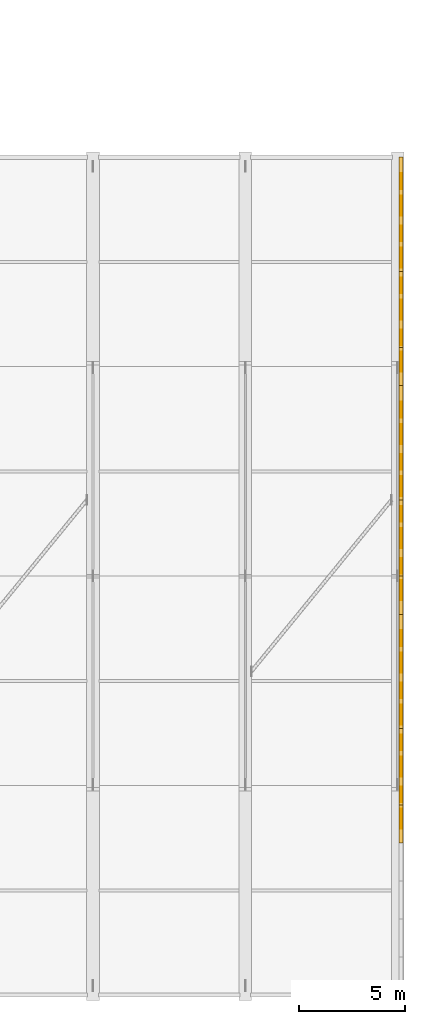
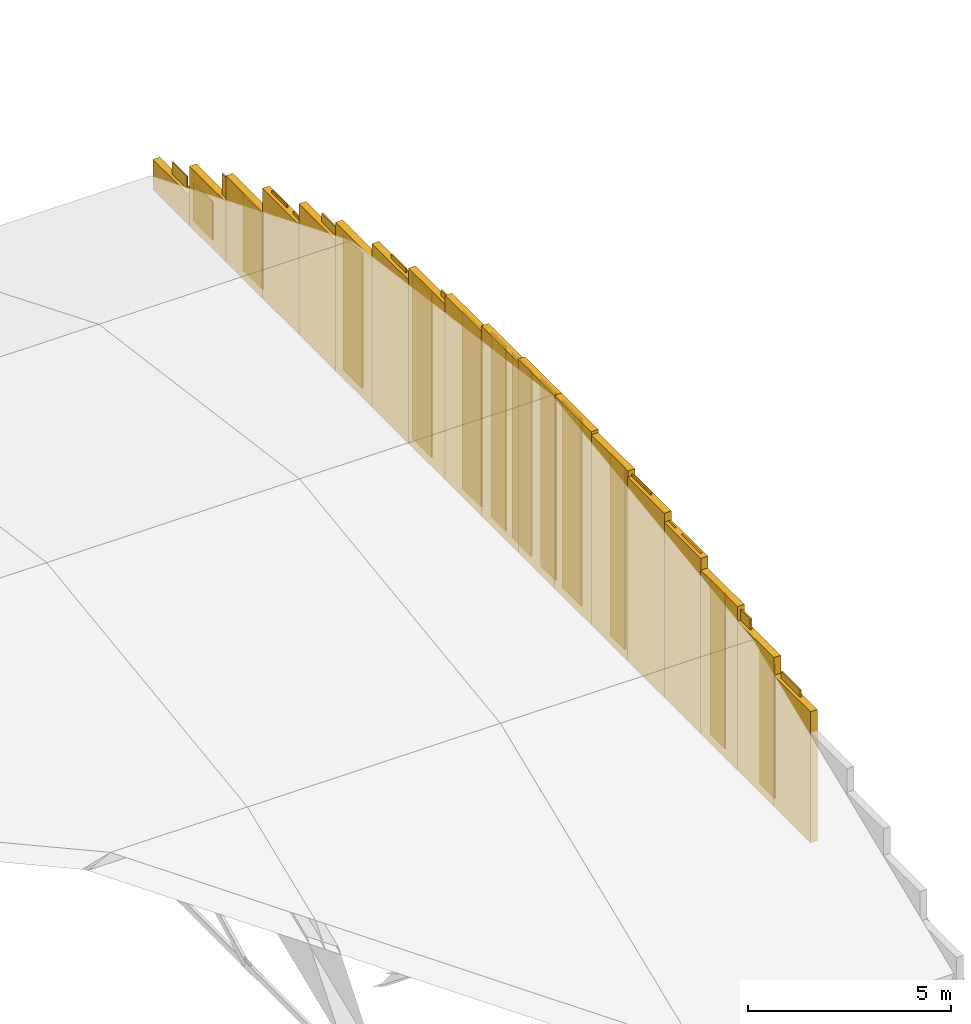
# One storey, part 22 of 22: 42 coverings.
"""IFC4 building model written with IfcOpenShell, lengths in metres."""

from ifc_helpers import new_model, si_unit, direction, frame, origin, origin_2d, place, context, subcontext, project, spatial, rectangle, extrude, material, layer, layer_set, type_object, element, save


model = new_model("IFC4")

# Units and contexts
model_context = context("Model", 3, precision=1e-05, world=origin(), true_north=direction((0.0, 1.0)))
body_context = subcontext(model_context, "Body", "Model", "MODEL_VIEW")
ifc_project = project(units=[si_unit("LENGTHUNIT", "METRE"), si_unit("AREAUNIT", "SQUARE_METRE"), si_unit("VOLUMEUNIT", "CUBIC_METRE"), si_unit("PLANEANGLEUNIT", "RADIAN"), si_unit("MASSUNIT", "GRAM", prefix="KILO")], contexts=[model_context])

# Site, building, storey
site_placement = place(None, origin())
site = spatial("IfcSite", under=ifc_project, at=site_placement, CompositionType="ELEMENT")
building_placement = place(site_placement, origin())
building = spatial("IfcBuilding", under=site, at=building_placement, Name="Lusvemor Sports Hall", CompositionType="ELEMENT")
storey_placement = place(building_placement, frame((0.0, 0.0, 23.39990234375)))
storey = spatial("IfcBuildingStorey", under=building, at=storey_placement, Name="Roof", CompositionType="ELEMENT", Elevation=23.39990234375)

# Coverings
ifc_material_1 = material(Name="Emerald polychrome glazed ceramic cladding on Concrete C40/50 backing", Category="concrete")
ifc_layer_1 = layer(ifc_material_1, 0.0458984375)
ifc_layer_set_1 = layer_set([ifc_layer_1], Name="Emerald polychrome glazed ceramic cladding on Concrete C40/50 backing")
covering_type_1 = type_object("IfcCoveringType", Name="CLAD_WAVE_EMERALD", PredefinedType="CLADDING", material=ifc_layer_set_1)
covering_1_placement = place(storey_placement, frame((169.3779296875, 8.3349609375, -1.919921875), z_axis=(0.0, 0.0, 1.0), x_axis=(1.0, 0.0, 0.0)))
element("IfcCovering", 1, at=covering_1_placement, inside=storey, type_object=covering_type_1, Name="Art Nouveau Patterned Cladding PS-V2TY-E-1-0-1", PredefinedType="CLADDING", context=body_context, shape_type="SweptSolid", body=[
    extrude(rectangle(XDim=0.0458984375, YDim=0.943115234375, at=origin_2d()), origin(), (0.0, 0.0, 1.0), 4.0166015625),
])
covering_2_placement = place(storey_placement, frame((169.3779296875, 10.794921875, -1.919921875), z_axis=(0.0, 0.0, 1.0), x_axis=(1.0, 0.0, 0.0)))
element("IfcCovering", 2, at=covering_2_placement, inside=storey, type_object=covering_type_1, Name="Art Nouveau Patterned Cladding PS-V2TY-E-1-1-1", PredefinedType="CLADDING", context=body_context, shape_type="SweptSolid", body=[
    extrude(rectangle(XDim=0.0458984375, YDim=0.943115234375, at=origin_2d()), origin(), (0.0, 0.0, 1.0), 4.671142578125),
])
covering_3_placement = place(storey_placement, frame((169.3779296875, 13.2548828125, -1.919921875), z_axis=(0.0, 0.0, 1.0), x_axis=(1.0, 0.0, 0.0)))
element("IfcCovering", 3, at=covering_3_placement, inside=storey, type_object=covering_type_1, Name="Art Nouveau Patterned Cladding PS-V2TY-E-1-2-1", PredefinedType="CLADDING", context=body_context, shape_type="SweptSolid", body=[
    extrude(rectangle(XDim=0.0458984375, YDim=0.943115234375, at=origin_2d()), origin(), (0.0, 0.0, 1.0), 5.1591796875),
])
covering_4_placement = place(storey_placement, frame((169.3779296875, 15.715087890625, -1.919921875), z_axis=(0.0, 0.0, 1.0), x_axis=(1.0, 0.0, 0.0)))
element("IfcCovering", 4, at=covering_4_placement, inside=storey, type_object=covering_type_1, Name="Art Nouveau Patterned Cladding PS-V2TY-E-1-3-1", PredefinedType="CLADDING", context=body_context, shape_type="SweptSolid", body=[
    extrude(rectangle(XDim=0.0458984375, YDim=0.943115234375, at=origin_2d()), origin(), (0.0, 0.0, 1.0), 5.480224609375),
])
covering_5_placement = place(storey_placement, frame((169.3779296875, 19.135009765625, -1.919921875), z_axis=(0.0, 0.0, 1.0), x_axis=(1.0, 0.0, 0.0)))
element("IfcCovering", 5, at=covering_5_placement, inside=storey, type_object=covering_type_1, Name="Art Nouveau Patterned Cladding PS-V2TY-E-2-0-1", PredefinedType="CLADDING", context=body_context, shape_type="SweptSolid", body=[
    extrude(rectangle(XDim=0.0458984375, YDim=0.943115234375, at=origin_2d()), origin(), (0.0, 0.0, 1.0), 5.64990234375),
])
covering_6_placement = place(storey_placement, frame((169.3779296875, 21.594970703125, -1.919921875), z_axis=(0.0, 0.0, 1.0), x_axis=(1.0, 0.0, 0.0)))
element("IfcCovering", 6, at=covering_6_placement, inside=storey, type_object=covering_type_1, Name="Art Nouveau Patterned Cladding PS-V2TY-E-2-1-1", PredefinedType="CLADDING", context=body_context, shape_type="SweptSolid", body=[
    extrude(rectangle(XDim=0.0458984375, YDim=0.943115234375, at=origin_2d()), origin(), (0.0, 0.0, 1.0), 5.572509765625),
])
covering_7_placement = place(storey_placement, frame((169.3779296875, 24.054931640625, -1.919921875), z_axis=(0.0, 0.0, 1.0), x_axis=(1.0, 0.0, 0.0)))
element("IfcCovering", 7, at=covering_7_placement, inside=storey, type_object=covering_type_1, Name="Art Nouveau Patterned Cladding PS-V2TY-E-2-2-1", PredefinedType="CLADDING", context=body_context, shape_type="SweptSolid", body=[
    extrude(rectangle(XDim=0.0458984375, YDim=0.943115234375, at=origin_2d()), origin(), (0.0, 0.0, 1.0), 5.32861328125),
])
covering_8_placement = place(storey_placement, frame((169.3779296875, 26.514892578125, -1.919921875), z_axis=(0.0, 0.0, 1.0), x_axis=(1.0, 0.0, 0.0)))
element("IfcCovering", 8, at=covering_8_placement, inside=storey, type_object=covering_type_1, Name="Art Nouveau Patterned Cladding PS-V2TY-E-2-3-1", PredefinedType="CLADDING", context=body_context, shape_type="SweptSolid", body=[
    extrude(rectangle(XDim=0.0458984375, YDim=0.943115234375, at=origin_2d()), origin(), (0.0, 0.0, 1.0), 4.91796875),
])
covering_9_placement = place(storey_placement, frame((169.3779296875, 29.93505859375, -1.919921875), z_axis=(0.0, 0.0, 1.0), x_axis=(1.0, 0.0, 0.0)))
element("IfcCovering", 9, at=covering_9_placement, inside=storey, type_object=covering_type_1, Name="Art Nouveau Patterned Cladding PS-V2TY-E-3-0-1", PredefinedType="CLADDING", context=body_context, shape_type="SweptSolid", body=[
    extrude(rectangle(XDim=0.0458984375, YDim=0.943115234375, at=origin_2d()), origin(), (0.0, 0.0, 1.0), 4.070068359375),
])
covering_10_placement = place(storey_placement, frame((169.3779296875, 32.39501953125, -1.919921875), z_axis=(0.0, 0.0, 1.0), x_axis=(1.0, 0.0, 0.0)))
element("IfcCovering", 10, at=covering_10_placement, inside=storey, type_object=covering_type_1, Name="Art Nouveau Patterned Cladding PS-V2TY-E-3-1-1", PredefinedType="CLADDING", context=body_context, shape_type="SweptSolid", body=[
    extrude(rectangle(XDim=0.0458984375, YDim=0.943115234375, at=origin_2d()), origin(), (0.0, 0.0, 1.0), 3.260986328125),
])
covering_11_placement = place(storey_placement, frame((169.3779296875, 34.85498046875, -1.919921875), z_axis=(0.0, 0.0, 1.0), x_axis=(1.0, 0.0, 0.0)))
element("IfcCovering", 11, at=covering_11_placement, inside=storey, type_object=covering_type_1, Name="Art Nouveau Patterned Cladding PS-V2TY-E-3-2-1", PredefinedType="CLADDING", context=body_context, shape_type="SweptSolid", body=[
    extrude(rectangle(XDim=0.0458984375, YDim=0.943115234375, at=origin_2d()), origin(), (0.0, 0.0, 1.0), 2.284912109375),
])
covering_12_placement = place(storey_placement, frame((169.3779296875, 37.31494140625, -1.919921875), z_axis=(0.0, 0.0, 1.0), x_axis=(1.0, 0.0, 0.0)))
element("IfcCovering", 12, at=covering_12_placement, inside=storey, type_object=covering_type_1, Name="Art Nouveau Patterned Cladding PS-V2TY-E-3-3-1", PredefinedType="CLADDING", context=body_context, shape_type="SweptSolid", body=[
    extrude(rectangle(XDim=0.0458984375, YDim=0.943115234375, at=origin_2d()), origin(), (0.0, 0.0, 1.0), 1.142578125),
])
covering_13_placement = place(storey_placement, frame((169.360107421875, 8.10009765625, -2.0498046875), z_axis=(0.0, 0.0, 1.0), x_axis=(1.0, 0.0, 0.0)))
element("IfcCovering", 13, at=covering_13_placement, inside=storey, type_object=covering_type_1, Name="East Vault Gable Patterned Tympanum E-05", PredefinedType="CLADDING", context=body_context, shape_type="SweptSolid", body=[
    extrude(rectangle(XDim=0.199951171875, YDim=1.81201171875, at=origin_2d()), origin(), (0.0, 0.0, 1.0), 3.944580078125),
])
covering_14_placement = place(storey_placement, frame((169.360107421875, 11.699951171875, -2.050048828125), z_axis=(0.0, 0.0, 1.0), x_axis=(1.0, 0.0, 0.0)))
element("IfcCovering", 14, at=covering_14_placement, inside=storey, type_object=covering_type_1, Name="East Vault Gable Patterned Tympanum E-07", PredefinedType="CLADDING", context=body_context, shape_type="SweptSolid", body=[
    extrude(rectangle(XDim=0.199951171875, YDim=1.81201171875, at=origin_2d()), origin(), (0.0, 0.0, 1.0), 4.92626953125),
])
covering_15_placement = place(storey_placement, frame((169.360107421875, 15.300048828125, -2.0498046875), z_axis=(0.0, 0.0, 1.0), x_axis=(1.0, 0.0, 0.0)))
element("IfcCovering", 15, at=covering_15_placement, inside=storey, type_object=covering_type_1, Name="East Vault Gable Patterned Tympanum E-09", PredefinedType="CLADDING", context=body_context, shape_type="SweptSolid", body=[
    extrude(rectangle(XDim=0.199951171875, YDim=1.81201171875, at=origin_2d()), origin(), (0.0, 0.0, 1.0), 5.551025390625),
])
covering_16_placement = place(storey_placement, frame((169.360107421875, 18.89990234375, -2.0498046875), z_axis=(0.0, 0.0, 1.0), x_axis=(1.0, 0.0, 0.0)))
element("IfcCovering", 16, at=covering_16_placement, inside=storey, type_object=covering_type_1, Name="East Vault Gable Patterned Tympanum E-11", PredefinedType="CLADDING", context=body_context, shape_type="SweptSolid", body=[
    extrude(rectangle(XDim=0.199951171875, YDim=1.81201171875, at=origin_2d()), origin(), (0.0, 0.0, 1.0), 5.81884765625),
])
covering_17_placement = place(storey_placement, frame((169.360107421875, 22.5, -2.0498046875), z_axis=(0.0, 0.0, 1.0), x_axis=(1.0, 0.0, 0.0)))
element("IfcCovering", 17, at=covering_17_placement, inside=storey, type_object=covering_type_1, Name="East Vault Gable Patterned Tympanum E-13", PredefinedType="CLADDING", context=body_context, shape_type="SweptSolid", body=[
    extrude(rectangle(XDim=0.199951171875, YDim=1.81201171875, at=origin_2d()), origin(), (0.0, 0.0, 1.0), 5.7294921875),
])
covering_18_placement = place(storey_placement, frame((169.360107421875, 26.10009765625, -2.0498046875), z_axis=(0.0, 0.0, 1.0), x_axis=(1.0, 0.0, 0.0)))
element("IfcCovering", 18, at=covering_18_placement, inside=storey, type_object=covering_type_1, Name="East Vault Gable Patterned Tympanum E-15", PredefinedType="CLADDING", context=body_context, shape_type="SweptSolid", body=[
    extrude(rectangle(XDim=0.199951171875, YDim=1.81201171875, at=origin_2d()), origin(), (0.0, 0.0, 1.0), 5.283203125),
])
covering_19_placement = place(storey_placement, frame((169.360107421875, 29.699951171875, -2.0498046875), z_axis=(0.0, 0.0, 1.0), x_axis=(1.0, 0.0, 0.0)))
element("IfcCovering", 19, at=covering_19_placement, inside=storey, type_object=covering_type_1, Name="East Vault Gable Patterned Tympanum E-17", PredefinedType="CLADDING", context=body_context, shape_type="SweptSolid", body=[
    extrude(rectangle(XDim=0.199951171875, YDim=1.81201171875, at=origin_2d()), origin(), (0.0, 0.0, 1.0), 4.47998046875),
])
covering_20_placement = place(storey_placement, frame((169.360107421875, 33.300048828125, -2.0498046875), z_axis=(0.0, 0.0, 1.0), x_axis=(1.0, 0.0, 0.0)))
element("IfcCovering", 20, at=covering_20_placement, inside=storey, type_object=covering_type_1, Name="East Vault Gable Patterned Tympanum E-19", PredefinedType="CLADDING", context=body_context, shape_type="SweptSolid", body=[
    extrude(rectangle(XDim=0.199951171875, YDim=1.81201171875, at=origin_2d()), origin(), (0.0, 0.0, 1.0), 3.319580078125),
])
covering_21_placement = place(storey_placement, frame((169.360107421875, 36.89990234375, -2.0498046875), z_axis=(0.0, 0.0, 1.0), x_axis=(1.0, 0.0, 0.0)))
element("IfcCovering", 21, at=covering_21_placement, inside=storey, type_object=covering_type_1, Name="East Vault Gable Patterned Tympanum E-21", PredefinedType="CLADDING", context=body_context, shape_type="SweptSolid", body=[
    extrude(rectangle(XDim=0.199951171875, YDim=1.81201171875, at=origin_2d()), origin(), (0.0, 0.0, 1.0), 1.80224609375),
])
ifc_material_2 = material(Name="Warm terracotta Art Nouveau ceramic cladding on Concrete C40/50 backing", Category="masonry")
ifc_layer_2 = layer(ifc_material_2, 0.0380859375)
ifc_layer_set_2 = layer_set([ifc_layer_2], Name="Warm terracotta Art Nouveau ceramic cladding on Concrete C40/50 backing")
covering_type_2 = type_object("IfcCoveringType", Name="CLAD_WAVE_OCHRE", PredefinedType="CLADDING", material=ifc_layer_set_2)
covering_22_placement = place(storey_placement, frame((169.3740234375, 9.485107421875, -1.919921875), z_axis=(0.0, 0.0, 1.0), x_axis=(1.0, 0.0, 0.0)))
element("IfcCovering", 22, at=covering_22_placement, inside=storey, type_object=covering_type_2, Name="Art Nouveau Patterned Cladding PS-V2TY-E-1-0-2", PredefinedType="CLADDING", context=body_context, shape_type="SweptSolid", body=[
    extrude(rectangle(XDim=0.0380859375, YDim=0.736083984375, at=origin_2d()), origin(), (0.0, 0.0, 1.0), 4.0166015625),
])
covering_23_placement = place(storey_placement, frame((169.3740234375, 11.945068359375, -1.919921875), z_axis=(0.0, 0.0, 1.0), x_axis=(1.0, 0.0, 0.0)))
element("IfcCovering", 23, at=covering_23_placement, inside=storey, type_object=covering_type_2, Name="Art Nouveau Patterned Cladding PS-V2TY-E-1-1-2", PredefinedType="CLADDING", context=body_context, shape_type="SweptSolid", body=[
    extrude(rectangle(XDim=0.0380859375, YDim=0.736083984375, at=origin_2d()), origin(), (0.0, 0.0, 1.0), 4.671142578125),
])
covering_24_placement = place(storey_placement, frame((169.3740234375, 14.405029296875, -1.919921875), z_axis=(0.0, 0.0, 1.0), x_axis=(1.0, 0.0, 0.0)))
element("IfcCovering", 24, at=covering_24_placement, inside=storey, type_object=covering_type_2, Name="Art Nouveau Patterned Cladding PS-V2TY-E-1-2-2", PredefinedType="CLADDING", context=body_context, shape_type="SweptSolid", body=[
    extrude(rectangle(XDim=0.0380859375, YDim=0.736083984375, at=origin_2d()), origin(), (0.0, 0.0, 1.0), 5.1591796875),
])
covering_25_placement = place(storey_placement, frame((169.3740234375, 16.864990234375, -1.919921875), z_axis=(0.0, 0.0, 1.0), x_axis=(1.0, 0.0, 0.0)))
element("IfcCovering", 25, at=covering_25_placement, inside=storey, type_object=covering_type_2, Name="Art Nouveau Patterned Cladding PS-V2TY-E-1-3-2", PredefinedType="CLADDING", context=body_context, shape_type="SweptSolid", body=[
    extrude(rectangle(XDim=0.0380859375, YDim=0.736083984375, at=origin_2d()), origin(), (0.0, 0.0, 1.0), 5.480224609375),
])
covering_26_placement = place(storey_placement, frame((169.3740234375, 20.284912109375, -1.919921875), z_axis=(0.0, 0.0, 1.0), x_axis=(1.0, 0.0, 0.0)))
element("IfcCovering", 26, at=covering_26_placement, inside=storey, type_object=covering_type_2, Name="Art Nouveau Patterned Cladding PS-V2TY-E-2-0-2", PredefinedType="CLADDING", context=body_context, shape_type="SweptSolid", body=[
    extrude(rectangle(XDim=0.0380859375, YDim=0.736083984375, at=origin_2d()), origin(), (0.0, 0.0, 1.0), 5.64990234375),
])
covering_27_placement = place(storey_placement, frame((169.3740234375, 22.7451171875, -1.919921875), z_axis=(0.0, 0.0, 1.0), x_axis=(1.0, 0.0, 0.0)))
element("IfcCovering", 27, at=covering_27_placement, inside=storey, type_object=covering_type_2, Name="Art Nouveau Patterned Cladding PS-V2TY-E-2-1-2", PredefinedType="CLADDING", context=body_context, shape_type="SweptSolid", body=[
    extrude(rectangle(XDim=0.0380859375, YDim=0.736083984375, at=origin_2d()), origin(), (0.0, 0.0, 1.0), 5.572509765625),
])
covering_28_placement = place(storey_placement, frame((169.3740234375, 25.205078125, -1.919921875), z_axis=(0.0, 0.0, 1.0), x_axis=(1.0, 0.0, 0.0)))
element("IfcCovering", 28, at=covering_28_placement, inside=storey, type_object=covering_type_2, Name="Art Nouveau Patterned Cladding PS-V2TY-E-2-2-2", PredefinedType="CLADDING", context=body_context, shape_type="SweptSolid", body=[
    extrude(rectangle(XDim=0.0380859375, YDim=0.736083984375, at=origin_2d()), origin(), (0.0, 0.0, 1.0), 5.32861328125),
])
covering_29_placement = place(storey_placement, frame((169.3740234375, 27.6650390625, -1.919921875), z_axis=(0.0, 0.0, 1.0), x_axis=(1.0, 0.0, 0.0)))
element("IfcCovering", 29, at=covering_29_placement, inside=storey, type_object=covering_type_2, Name="Art Nouveau Patterned Cladding PS-V2TY-E-2-3-2", PredefinedType="CLADDING", context=body_context, shape_type="SweptSolid", body=[
    extrude(rectangle(XDim=0.0380859375, YDim=0.736083984375, at=origin_2d()), origin(), (0.0, 0.0, 1.0), 4.91796875),
])
covering_30_placement = place(storey_placement, frame((169.3740234375, 31.0849609375, -1.919921875), z_axis=(0.0, 0.0, 1.0), x_axis=(1.0, 0.0, 0.0)))
element("IfcCovering", 30, at=covering_30_placement, inside=storey, type_object=covering_type_2, Name="Art Nouveau Patterned Cladding PS-V2TY-E-3-0-2", PredefinedType="CLADDING", context=body_context, shape_type="SweptSolid", body=[
    extrude(rectangle(XDim=0.0380859375, YDim=0.736083984375, at=origin_2d()), origin(), (0.0, 0.0, 1.0), 4.070068359375),
])
covering_31_placement = place(storey_placement, frame((169.3740234375, 33.544921875, -1.919921875), z_axis=(0.0, 0.0, 1.0), x_axis=(1.0, 0.0, 0.0)))
element("IfcCovering", 31, at=covering_31_placement, inside=storey, type_object=covering_type_2, Name="Art Nouveau Patterned Cladding PS-V2TY-E-3-1-2", PredefinedType="CLADDING", context=body_context, shape_type="SweptSolid", body=[
    extrude(rectangle(XDim=0.0380859375, YDim=0.736083984375, at=origin_2d()), origin(), (0.0, 0.0, 1.0), 3.260986328125),
])
covering_32_placement = place(storey_placement, frame((169.3740234375, 36.0048828125, -1.919921875), z_axis=(0.0, 0.0, 1.0), x_axis=(1.0, 0.0, 0.0)))
element("IfcCovering", 32, at=covering_32_placement, inside=storey, type_object=covering_type_2, Name="Art Nouveau Patterned Cladding PS-V2TY-E-3-2-2", PredefinedType="CLADDING", context=body_context, shape_type="SweptSolid", body=[
    extrude(rectangle(XDim=0.0380859375, YDim=0.736083984375, at=origin_2d()), origin(), (0.0, 0.0, 1.0), 2.284912109375),
])
covering_33_placement = place(storey_placement, frame((169.3740234375, 38.465087890625, -1.919921875), z_axis=(0.0, 0.0, 1.0), x_axis=(1.0, 0.0, 0.0)))
element("IfcCovering", 33, at=covering_33_placement, inside=storey, type_object=covering_type_2, Name="Art Nouveau Patterned Cladding PS-V2TY-E-3-3-2", PredefinedType="CLADDING", context=body_context, shape_type="SweptSolid", body=[
    extrude(rectangle(XDim=0.0380859375, YDim=0.736083984375, at=origin_2d()), origin(), (0.0, 0.0, 1.0), 1.142578125),
])
covering_34_placement = place(storey_placement, frame((169.360107421875, 9.89990234375, -2.0498046875), z_axis=(0.0, 0.0, 1.0), x_axis=(1.0, 0.0, 0.0)))
element("IfcCovering", 34, at=covering_34_placement, inside=storey, type_object=covering_type_2, Name="East Vault Gable Patterned Tympanum E-06", PredefinedType="CLADDING", context=body_context, shape_type="SweptSolid", body=[
    extrude(rectangle(XDim=0.199951171875, YDim=1.81201171875, at=origin_2d()), origin(), (0.0, 0.0, 1.0), 4.47998046875),
])
covering_35_placement = place(storey_placement, frame((169.360107421875, 13.5, -2.0498046875), z_axis=(0.0, 0.0, 1.0), x_axis=(1.0, 0.0, 0.0)))
element("IfcCovering", 35, at=covering_35_placement, inside=storey, type_object=covering_type_2, Name="East Vault Gable Patterned Tympanum E-08", PredefinedType="CLADDING", context=body_context, shape_type="SweptSolid", body=[
    extrude(rectangle(XDim=0.199951171875, YDim=1.81201171875, at=origin_2d()), origin(), (0.0, 0.0, 1.0), 5.283203125),
])
covering_36_placement = place(storey_placement, frame((169.360107421875, 17.10009765625, -2.0498046875), z_axis=(0.0, 0.0, 1.0), x_axis=(1.0, 0.0, 0.0)))
element("IfcCovering", 36, at=covering_36_placement, inside=storey, type_object=covering_type_2, Name="East Vault Gable Patterned Tympanum E-10", PredefinedType="CLADDING", context=body_context, shape_type="SweptSolid", body=[
    extrude(rectangle(XDim=0.199951171875, YDim=1.81201171875, at=origin_2d()), origin(), (0.0, 0.0, 1.0), 5.7294921875),
])
covering_37_placement = place(storey_placement, frame((169.360107421875, 20.699951171875, -2.0498046875), z_axis=(0.0, 0.0, 1.0), x_axis=(1.0, 0.0, 0.0)))
element("IfcCovering", 37, at=covering_37_placement, inside=storey, type_object=covering_type_2, Name="East Vault Gable Patterned Tympanum E-12", PredefinedType="CLADDING", context=body_context, shape_type="SweptSolid", body=[
    extrude(rectangle(XDim=0.199951171875, YDim=1.81201171875, at=origin_2d()), origin(), (0.0, 0.0, 1.0), 5.81884765625),
])
covering_38_placement = place(storey_placement, frame((169.360107421875, 24.300048828125, -2.0498046875), z_axis=(0.0, 0.0, 1.0), x_axis=(1.0, 0.0, 0.0)))
element("IfcCovering", 38, at=covering_38_placement, inside=storey, type_object=covering_type_2, Name="East Vault Gable Patterned Tympanum E-14", PredefinedType="CLADDING", context=body_context, shape_type="SweptSolid", body=[
    extrude(rectangle(XDim=0.199951171875, YDim=1.81201171875, at=origin_2d()), origin(), (0.0, 0.0, 1.0), 5.551025390625),
])
covering_39_placement = place(storey_placement, frame((169.360107421875, 27.89990234375, -2.050048828125), z_axis=(0.0, 0.0, 1.0), x_axis=(1.0, 0.0, 0.0)))
element("IfcCovering", 39, at=covering_39_placement, inside=storey, type_object=covering_type_2, Name="East Vault Gable Patterned Tympanum E-16", PredefinedType="CLADDING", context=body_context, shape_type="SweptSolid", body=[
    extrude(rectangle(XDim=0.199951171875, YDim=1.81201171875, at=origin_2d()), origin(), (0.0, 0.0, 1.0), 4.92626953125),
])
covering_40_placement = place(storey_placement, frame((169.360107421875, 31.5, -2.0498046875), z_axis=(0.0, 0.0, 1.0), x_axis=(1.0, 0.0, 0.0)))
element("IfcCovering", 40, at=covering_40_placement, inside=storey, type_object=covering_type_2, Name="East Vault Gable Patterned Tympanum E-18", PredefinedType="CLADDING", context=body_context, shape_type="SweptSolid", body=[
    extrude(rectangle(XDim=0.199951171875, YDim=1.81201171875, at=origin_2d()), origin(), (0.0, 0.0, 1.0), 3.944580078125),
])
covering_41_placement = place(storey_placement, frame((169.360107421875, 35.10009765625, -2.0498046875), z_axis=(0.0, 0.0, 1.0), x_axis=(1.0, 0.0, 0.0)))
element("IfcCovering", 41, at=covering_41_placement, inside=storey, type_object=covering_type_2, Name="East Vault Gable Patterned Tympanum E-20", PredefinedType="CLADDING", context=body_context, shape_type="SweptSolid", body=[
    extrude(rectangle(XDim=0.199951171875, YDim=1.81201171875, at=origin_2d()), origin(), (0.0, 0.0, 1.0), 2.605712890625),
])
covering_42_placement = place(storey_placement, frame((169.360107421875, 38.699951171875, -2.0498046875), z_axis=(0.0, 0.0, 1.0), x_axis=(1.0, 0.0, 0.0)))
element("IfcCovering", 42, at=covering_42_placement, inside=storey, type_object=covering_type_2, Name="East Vault Gable Patterned Tympanum E-22", PredefinedType="CLADDING", context=body_context, shape_type="SweptSolid", body=[
    extrude(rectangle(XDim=0.199951171875, YDim=1.81201171875, at=origin_2d()), origin(), (0.0, 0.0, 1.0), 0.909912109375),
])

save(model, "model.ifc")
